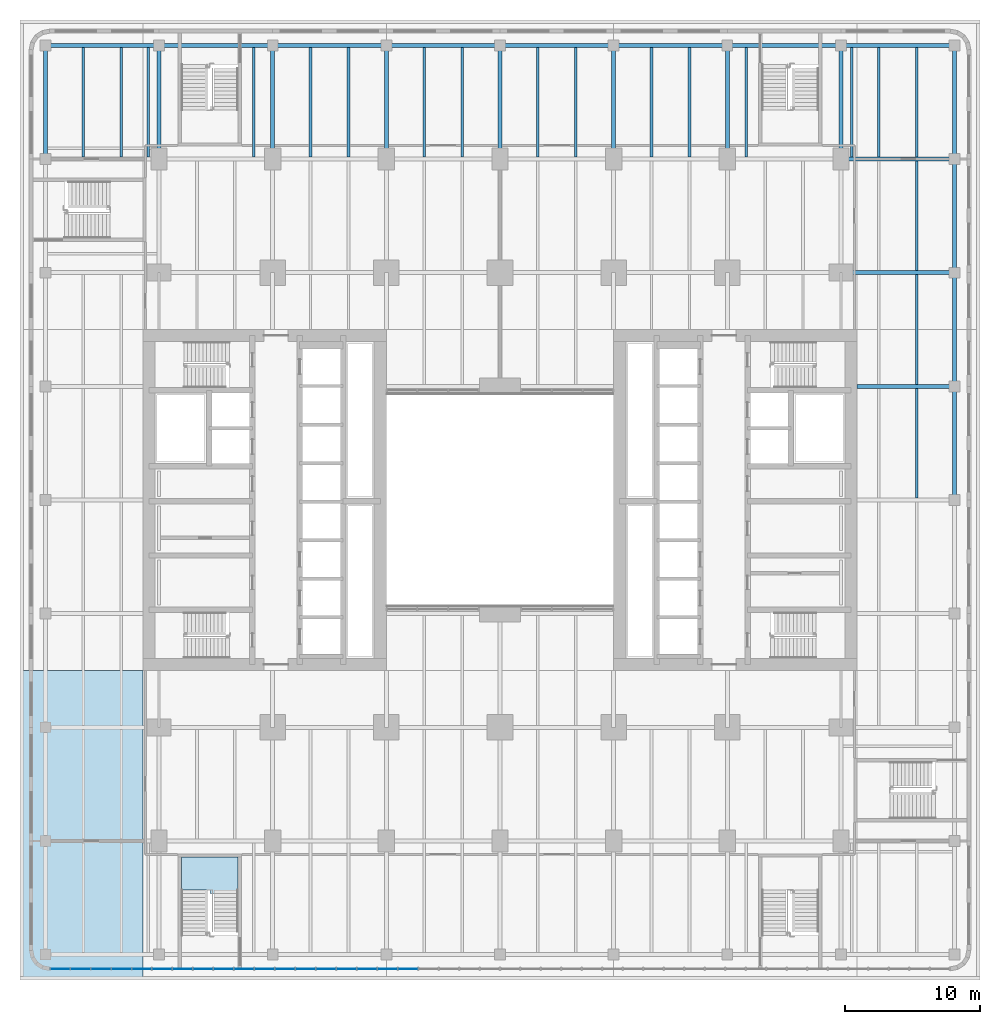
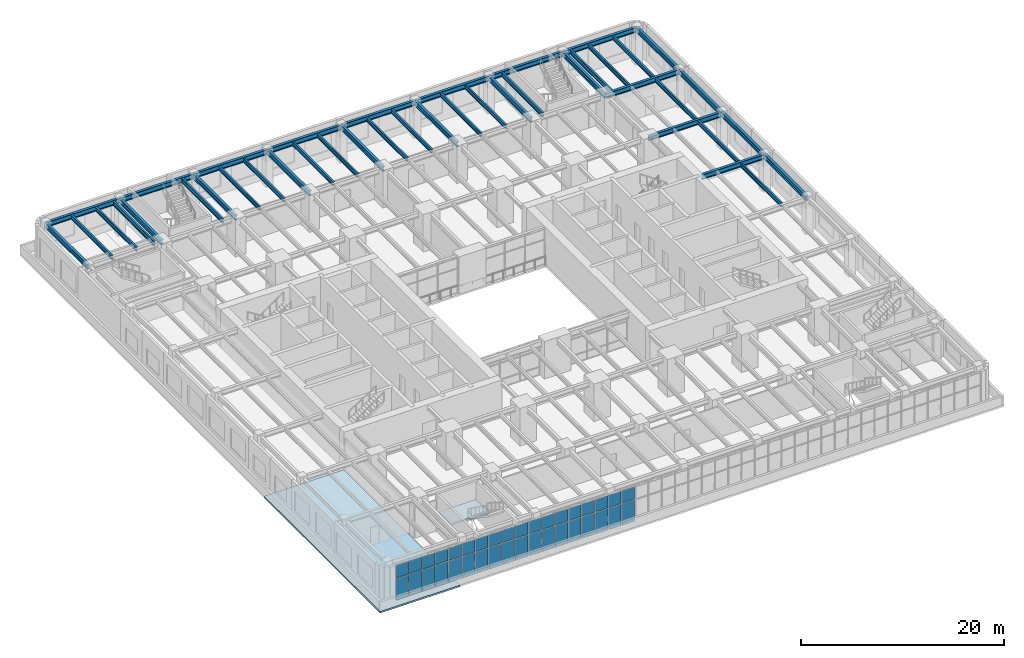
# One storey, part 13 of 30: 42 beams, 36 plates, 2 slabs, 2 elements without a shape of their own.
"""IFC4 building model written with IfcOpenShell, lengths in metres."""

from ifc_helpers import new_model, si_unit, direction, frame, origin, origin_2d, place, context, subcontext, project, spatial, polyline, rectangle, i_section, outline, extrude, material, layer, layer_set, material_profile, profile_set, type_object, element, aggregate, save


model = new_model("IFC4")

# Units and contexts
model_context = context("Model", 3, precision=1e-05, world=origin(), true_north=direction((0.0, 1.0)))
body_context = subcontext(model_context, "Body", "Model", "MODEL_VIEW")
ifc_project = project(units=[si_unit("LENGTHUNIT", "METRE"), si_unit("AREAUNIT", "SQUARE_METRE"), si_unit("VOLUMEUNIT", "CUBIC_METRE"), si_unit("PLANEANGLEUNIT", "RADIAN"), si_unit("MASSUNIT", "GRAM", prefix="KILO")], contexts=[model_context])

# Site, building, storey
site_placement = place(None, origin())
site = spatial("IfcSite", under=ifc_project, at=site_placement, CompositionType="ELEMENT")
building_placement = place(site_placement, origin())
building = spatial("IfcBuilding", under=site, at=building_placement, Name="Claustro Exchange Tower", CompositionType="ELEMENT")
storey_placement = place(building_placement, frame((0.0, 0.0, 5.39990234375)))
storey = spatial("IfcBuildingStorey", under=building, at=storey_placement, Name="L01", CompositionType="ELEMENT", Elevation=5.39990234375)

# Beams
ifc_material_1 = material(Name="Steel S355", Category="steel")
ifc_material_profile_1 = material_profile(ifc_material_1, i_section(OverallWidth=0.300048828125, OverallDepth=0.60009765625, WebThickness=0.015380859375, FlangeThickness=0.030029296875, FilletRadius=0.027099609375, at=origin_2d()), Name="HE 600 B")
ifc_profile_set_1 = profile_set([ifc_material_profile_1], Name="Steel S355")
beam_type_1 = type_object("IfcBeamType", Name="B1 HE 600 B floor girder", PredefinedType="BEAM", material=ifc_profile_set_1)
for number, where, z_axis, x_axis, name in (
    (1, (-8.39990234375, 50.39990234375, 4.0), (0.0, 1.0, 0.0), (-1.0, 0.0, 0.0), "Beam B1 L02"),
    (2, (0.0, 50.39990234375, 4.0), (0.0, 1.0, 0.0), (-1.0, 0.0, 0.0), "Beam B1 L02"),
    (3, (8.39990234375, 50.39990234375, 4.0), (0.0, 1.0, 0.0), (-1.0, 0.0, 0.0), "Beam B1 L02"),
    (4, (16.800048828125, 50.39990234375, 4.0), (0.0, 1.0, 0.0), (-1.0, 0.0, 0.0), "Beam B1 L02"),
    (5, (25.199951171875, 50.39990234375, 4.0), (0.0, 1.0, 0.0), (-1.0, 0.0, 0.0), "Beam B1 L02"),
    (6, (33.60009765625, 50.39990234375, 4.0), (0.0, 1.0, 0.0), (-1.0, 0.0, 0.0), "Beam B1 L02"),
    (7, (42.0, 50.39990234375, 4.0), (0.0, 1.0, 0.0), (-1.0, 0.0, 0.0), "Beam B1 L02"),
    (8, (50.39990234375, 50.39990234375, 4.0), (0.0, 1.0, 0.0), (-1.0, 0.0, 0.0), "Beam B1 L02"),
    (9, (58.800048828125, 25.199951171875, 4.0), (0.0, 1.0, 0.0), (-1.0, 0.0, 0.0), "Beam B1 L02"),
):
    element("IfcBeam", number, at=place(storey_placement, frame(where, z_axis=z_axis, x_axis=x_axis)), inside=storey, type_object=beam_type_1, Name=name, PredefinedType="BEAM", context=body_context, shape_type="SweptSolid", body=[
        extrude(i_section(OverallWidth=0.300048828125, OverallDepth=0.60009765625, WebThickness=0.015380859375, FlangeThickness=0.030029296875, FilletRadius=0.027099609375, at=origin_2d()), origin(), (0.0, 0.0, 1.0), 8.400146484375),
    ])
for number, where, z_axis, x_axis, name in (
    (10, (58.800048828125, 33.60009765625, 4.0), (0.0, 1.0, 0.0), (-1.0, 0.0, 0.0), "Beam B1 L02"),
    (11, (58.800048828125, 42.0, 4.0), (0.0, 1.0, 0.0), (-1.0, 0.0, 0.0), "Beam B1 L02"),
):
    element("IfcBeam", number, at=place(storey_placement, frame(where, z_axis=z_axis, x_axis=x_axis)), inside=storey, type_object=beam_type_1, Name=name, PredefinedType="BEAM", context=body_context, shape_type="SweptSolid", body=[
        extrude(i_section(OverallWidth=0.300048828125, OverallDepth=0.60009765625, WebThickness=0.015380859375, FlangeThickness=0.030029296875, FilletRadius=0.027099609375, at=origin_2d()), origin(), (0.0, 0.0, 1.0), 8.39990234375),
    ])
beam_1_placement = place(storey_placement, frame((58.800048828125, 50.39990234375, 4.0), z_axis=(0.0, 1.0, 0.0), x_axis=(-1.0, 0.0, 0.0)))
element("IfcBeam", 12, at=beam_1_placement, inside=storey, type_object=beam_type_1, Name="Beam B1 L02", PredefinedType="BEAM", context=body_context, shape_type="SweptSolid", body=[
    extrude(i_section(OverallWidth=0.300048828125, OverallDepth=0.60009765625, WebThickness=0.015380859375, FlangeThickness=0.030029296875, FilletRadius=0.027099609375, at=origin_2d()), origin(), (0.0, 0.0, 1.0), 8.400146484375),
])
beam_2_placement = place(storey_placement, frame((51.60009765625, 33.60009765625, 4.0), z_axis=(1.0, 0.0, 0.0), x_axis=(0.0, 1.0, 0.0)))
element("IfcBeam", 13, at=beam_2_placement, inside=storey, type_object=beam_type_1, Name="Beam B1 L02", PredefinedType="BEAM", context=body_context, shape_type="SweptSolid", body=[
    extrude(i_section(OverallWidth=0.300048828125, OverallDepth=0.60009765625, WebThickness=0.015380859375, FlangeThickness=0.030029296875, FilletRadius=0.027099609375, at=origin_2d()), origin(), (0.0, 0.0, 1.0), 7.199951171875),
])
for number, where, z_axis, x_axis, name in (
    (14, (50.39990234375, 42.0, 4.0), (1.0, 0.0, 0.0), (0.0, 1.0, 0.0), "Beam B1 L02"),
    (15, (50.39990234375, 50.39990234375, 4.0), (1.0, 0.0, 0.0), (0.0, 1.0, 0.0), "Beam B1 L02"),
):
    element("IfcBeam", number, at=place(storey_placement, frame(where, z_axis=z_axis, x_axis=x_axis)), inside=storey, type_object=beam_type_1, Name=name, PredefinedType="BEAM", context=body_context, shape_type="SweptSolid", body=[
        extrude(i_section(OverallWidth=0.300048828125, OverallDepth=0.60009765625, WebThickness=0.015380859375, FlangeThickness=0.030029296875, FilletRadius=0.027099609375, at=origin_2d()), origin(), (0.0, 0.0, 1.0), 8.400146484375),
    ])
for number, where, z_axis, x_axis, name in (
    (16, (-8.39990234375, 58.800048828125, 4.0), (1.0, 0.0, 0.0), (0.0, 1.0, 0.0), "Beam B1 L02"),
    (17, (0.0, 58.800048828125, 4.0), (1.0, 0.0, 0.0), (0.0, 1.0, 0.0), "Beam B1 L02"),
):
    element("IfcBeam", number, at=place(storey_placement, frame(where, z_axis=z_axis, x_axis=x_axis)), inside=storey, type_object=beam_type_1, Name=name, PredefinedType="BEAM", context=body_context, shape_type="SweptSolid", body=[
        extrude(i_section(OverallWidth=0.300048828125, OverallDepth=0.60009765625, WebThickness=0.015380859375, FlangeThickness=0.030029296875, FilletRadius=0.027099609375, at=origin_2d()), origin(), (0.0, 0.0, 1.0), 8.39990234375),
    ])
beam_3_placement = place(storey_placement, frame((8.39990234375, 58.800048828125, 4.0), z_axis=(1.0, 0.0, 0.0), x_axis=(0.0, 1.0, 0.0)))
element("IfcBeam", 18, at=beam_3_placement, inside=storey, type_object=beam_type_1, Name="Beam B1 L02", PredefinedType="BEAM", context=body_context, shape_type="SweptSolid", body=[
    extrude(i_section(OverallWidth=0.300048828125, OverallDepth=0.60009765625, WebThickness=0.015380859375, FlangeThickness=0.030029296875, FilletRadius=0.027099609375, at=origin_2d()), origin(), (0.0, 0.0, 1.0), 8.400146484375),
])
beam_4_placement = place(storey_placement, frame((16.800048828125, 58.800048828125, 4.0), z_axis=(1.0, 0.0, 0.0), x_axis=(0.0, 1.0, 0.0)))
element("IfcBeam", 19, at=beam_4_placement, inside=storey, type_object=beam_type_1, Name="Beam B1 L02", PredefinedType="BEAM", context=body_context, shape_type="SweptSolid", body=[
    extrude(i_section(OverallWidth=0.300048828125, OverallDepth=0.60009765625, WebThickness=0.015380859375, FlangeThickness=0.030029296875, FilletRadius=0.027099609375, at=origin_2d()), origin(), (0.0, 0.0, 1.0), 8.39990234375),
])
beam_5_placement = place(storey_placement, frame((25.199951171875, 58.800048828125, 4.0), z_axis=(1.0, 0.0, 0.0), x_axis=(0.0, 1.0, 0.0)))
element("IfcBeam", 20, at=beam_5_placement, inside=storey, type_object=beam_type_1, Name="Beam B1 L02", PredefinedType="BEAM", context=body_context, shape_type="SweptSolid", body=[
    extrude(i_section(OverallWidth=0.300048828125, OverallDepth=0.60009765625, WebThickness=0.015380859375, FlangeThickness=0.030029296875, FilletRadius=0.027099609375, at=origin_2d()), origin(), (0.0, 0.0, 1.0), 8.400146484375),
])
for number, where, z_axis, x_axis, name in (
    (21, (33.60009765625, 58.800048828125, 4.0), (1.0, 0.0, 0.0), (0.0, 1.0, 0.0), "Beam B1 L02"),
    (22, (42.0, 58.800048828125, 4.0), (1.0, 0.0, 0.0), (0.0, 1.0, 0.0), "Beam B1 L02"),
):
    element("IfcBeam", number, at=place(storey_placement, frame(where, z_axis=z_axis, x_axis=x_axis)), inside=storey, type_object=beam_type_1, Name=name, PredefinedType="BEAM", context=body_context, shape_type="SweptSolid", body=[
        extrude(i_section(OverallWidth=0.300048828125, OverallDepth=0.60009765625, WebThickness=0.015380859375, FlangeThickness=0.030029296875, FilletRadius=0.027099609375, at=origin_2d()), origin(), (0.0, 0.0, 1.0), 8.39990234375),
    ])
beam_6_placement = place(storey_placement, frame((50.39990234375, 58.800048828125, 4.0), z_axis=(1.0, 0.0, 0.0), x_axis=(0.0, 1.0, 0.0)))
element("IfcBeam", 23, at=beam_6_placement, inside=storey, type_object=beam_type_1, Name="Beam B1 L02", PredefinedType="BEAM", context=body_context, shape_type="SweptSolid", body=[
    extrude(i_section(OverallWidth=0.300048828125, OverallDepth=0.60009765625, WebThickness=0.015380859375, FlangeThickness=0.030029296875, FilletRadius=0.027099609375, at=origin_2d()), origin(), (0.0, 0.0, 1.0), 8.400146484375),
])
ifc_material_2 = material(Name="Steel S355", Category="steel")
ifc_material_profile_2 = material_profile(ifc_material_2, i_section(OverallWidth=0.199951171875, OverallDepth=0.5, WebThickness=0.01025390625, FlangeThickness=0.01611328125, FilletRadius=0.02099609375, at=origin_2d()), Name="IPE 500")
ifc_profile_set_2 = profile_set([ifc_material_profile_2], Name="Steel S355")
beam_type_2 = type_object("IfcBeamType", Name="B2 IPE 500 secondary beam", PredefinedType="BEAM", material=ifc_profile_set_2)
for number, where, z_axis, x_axis, name in (
    (24, (-5.60009765625, 50.550048828125, 4.050048828125), (0.0, 1.0, 0.0), (-1.0, 0.0, 0.0), "Beam B2 L02"),
    (25, (-2.800048828125, 50.550048828125, 4.050048828125), (0.0, 1.0, 0.0), (-1.0, 0.0, 0.0), "Beam B2 L02"),
    (26, (11.199951171875, 50.550048828125, 4.050048828125), (0.0, 1.0, 0.0), (-1.0, 0.0, 0.0), "Beam B2 L02"),
    (27, (14.0, 50.550048828125, 4.050048828125), (0.0, 1.0, 0.0), (-1.0, 0.0, 0.0), "Beam B2 L02"),
    (28, (19.60009765625, 50.550048828125, 4.050048828125), (0.0, 1.0, 0.0), (-1.0, 0.0, 0.0), "Beam B2 L02"),
    (29, (22.39990234375, 50.550048828125, 4.050048828125), (0.0, 1.0, 0.0), (-1.0, 0.0, 0.0), "Beam B2 L02"),
    (30, (28.0, 50.550048828125, 4.050048828125), (0.0, 1.0, 0.0), (-1.0, 0.0, 0.0), "Beam B2 L02"),
    (31, (30.800048828125, 50.550048828125, 4.050048828125), (0.0, 1.0, 0.0), (-1.0, 0.0, 0.0), "Beam B2 L02"),
    (32, (36.39990234375, 50.550048828125, 4.050048828125), (0.0, 1.0, 0.0), (-1.0, 0.0, 0.0), "Beam B2 L02"),
    (33, (39.199951171875, 50.550048828125, 4.050048828125), (0.0, 1.0, 0.0), (-1.0, 0.0, 0.0), "Beam B2 L02"),
    (34, (56.0, 25.35009765625, 4.050048828125), (0.0, 1.0, 0.0), (-1.0, 0.0, 0.0), "Beam B2 L02"),
):
    element("IfcBeam", number, at=place(storey_placement, frame(where, z_axis=z_axis, x_axis=x_axis)), inside=storey, type_object=beam_type_2, Name=name, PredefinedType="BEAM", context=body_context, shape_type="SweptSolid", body=[
        extrude(i_section(OverallWidth=0.199951171875, OverallDepth=0.5, WebThickness=0.01025390625, FlangeThickness=0.01611328125, FilletRadius=0.02099609375, at=origin_2d()), origin(), (0.0, 0.0, 1.0), 8.099853515625),
    ])
for number, where, z_axis, x_axis, name in (
    (35, (56.0, 33.75, 4.050048828125), (0.0, 1.0, 0.0), (-1.0, 0.0, 0.0), "Beam B2 L02"),
    (36, (56.0, 42.14990234375, 4.050048828125), (0.0, 1.0, 0.0), (-1.0, 0.0, 0.0), "Beam B2 L02"),
):
    element("IfcBeam", number, at=place(storey_placement, frame(where, z_axis=z_axis, x_axis=x_axis)), inside=storey, type_object=beam_type_2, Name=name, PredefinedType="BEAM", context=body_context, shape_type="SweptSolid", body=[
        extrude(i_section(OverallWidth=0.199951171875, OverallDepth=0.5, WebThickness=0.01025390625, FlangeThickness=0.01611328125, FilletRadius=0.02099609375, at=origin_2d()), origin(), (0.0, 0.0, 1.0), 8.10009765625),
    ])
for number, where, z_axis, x_axis, name in (
    (37, (53.199951171875, 50.550048828125, 4.050048828125), (0.0, 1.0, 0.0), (-1.0, 0.0, 0.0), "Beam B2 L02"),
    (38, (56.0, 50.550048828125, 4.050048828125), (0.0, 1.0, 0.0), (-1.0, 0.0, 0.0), "Beam B2 L02"),
):
    element("IfcBeam", number, at=place(storey_placement, frame(where, z_axis=z_axis, x_axis=x_axis)), inside=storey, type_object=beam_type_2, Name=name, PredefinedType="BEAM", context=body_context, shape_type="SweptSolid", body=[
        extrude(i_section(OverallWidth=0.199951171875, OverallDepth=0.5, WebThickness=0.01025390625, FlangeThickness=0.01611328125, FilletRadius=0.02099609375, at=origin_2d()), origin(), (0.0, 0.0, 1.0), 8.099853515625),
    ])
ifc_material_3 = material(Name="Steel S355", Category="steel")
ifc_material_profile_3 = material_profile(ifc_material_3, i_section(OverallWidth=0.2099609375, OverallDepth=0.550048828125, WebThickness=0.010986328125, FlangeThickness=0.01708984375, FilletRadius=0.02392578125, at=origin_2d()), Name="IPE 550")
ifc_profile_set_3 = profile_set([ifc_material_profile_3], Name="Steel S355")
beam_type_3 = type_object("IfcBeamType", Name="B28 IPE 550 podium stair trimmer", PredefinedType="BEAM", material=ifc_profile_set_3)
for number, where, z_axis, x_axis, name in (
    (39, (7.0, 50.550048828125, 4.025146484375), (0.0, 1.0, 0.0), (-1.0, 0.0, 0.0), "Beam B28 trimmer STP3 L02"),
    (40, (-0.800048828125, 50.550048828125, 4.025146484375), (0.0, 1.0, 0.0), (-1.0, 0.0, 0.0), "Beam B28 trimmer STP3 L02"),
    (41, (43.39990234375, 50.550048828125, 4.025146484375), (0.0, 1.0, 0.0), (-1.0, 0.0, 0.0), "Beam B28 trimmer STP4 L02"),
    (42, (51.199951171875, 50.550048828125, 4.025146484375), (0.0, 1.0, 0.0), (-1.0, 0.0, 0.0), "Beam B28 trimmer STP4 L02"),
):
    element("IfcBeam", number, at=place(storey_placement, frame(where, z_axis=z_axis, x_axis=x_axis)), inside=storey, type_object=beam_type_3, Name=name, PredefinedType="BEAM", context=body_context, shape_type="SweptSolid", body=[
        extrude(i_section(OverallWidth=0.2099609375, OverallDepth=0.550048828125, WebThickness=0.010986328125, FlangeThickness=0.01708984375, FilletRadius=0.02392578125, at=origin_2d()), origin(), (0.0, 0.0, 1.0), 8.099853515625),
    ])

# Curtain wall, plates
ifc_material_4 = material(Name="Aluminium frame, clear double glazing", Category="aluminium")
curtain_wall_type = type_object("IfcCurtainWallType", Name="CW1 storefront curtain wall", PredefinedType="USERDEFINED", material=ifc_material_4)
curtain_wall_placement = place(storey_placement, origin())
curtain_wall = element("IfcCurtainWall", 43, at=curtain_wall_placement, inside=storey, type_object=curtain_wall_type, Name="Curtain wall CW1 L01", ObjectType="STICK CURTAIN WALL", PredefinedType="USERDEFINED")
ifc_material_5 = material(Name="Clear double glazing", Category="glass")
ifc_layer_1 = layer(ifc_material_5, 0.031982421875)
ifc_layer_set_1 = layer_set([ifc_layer_1], Name="Clear double glazing")
plate_type = type_object("IfcPlateType", Name="CW1-P 32 glazed panel", PredefinedType="CURTAIN_PANEL", material=ifc_layer_set_1)
plate_1_placement = place(storey_placement, frame((-7.31005859375, -9.449951171875, 0.0751953125), z_axis=(0.0, 0.0, 1.0), x_axis=(1.0, 0.0, 0.0)))
plate_1 = element("IfcPlate", 44, at=plate_1_placement, type_object=plate_type, Name="CW1 panel 1.1", PredefinedType="CURTAIN_PANEL", context=body_context, shape_type="SweptSolid", body=[
    extrude(rectangle(XDim=1.400390625, YDim=0.031982421875, at=origin_2d()), origin(), (0.0, 0.0, 1.0), 2.58740234375),
])
plate_2_placement = place(storey_placement, frame((-7.31005859375, -9.449951171875, 2.73779296875), z_axis=(0.0, 0.0, 1.0), x_axis=(1.0, 0.0, 0.0)))
plate_2 = element("IfcPlate", 45, at=plate_2_placement, type_object=plate_type, Name="CW1 panel 1.2", PredefinedType="CURTAIN_PANEL", context=body_context, shape_type="SweptSolid", body=[
    extrude(rectangle(XDim=1.400390625, YDim=0.031982421875, at=origin_2d()), origin(), (0.0, 0.0, 1.0), 1.487548828125),
])
plate_3_placement = place(storey_placement, frame((-5.815673828125, -9.449951171875, 0.0751953125), z_axis=(0.0, 0.0, 1.0), x_axis=(1.0, 0.0, 0.0)))
plate_3 = element("IfcPlate", 46, at=plate_3_placement, type_object=plate_type, Name="CW1 panel 2.1", PredefinedType="CURTAIN_PANEL", context=body_context, shape_type="SweptSolid", body=[
    extrude(rectangle(XDim=1.43798828125, YDim=0.031982421875, at=origin_2d()), origin(), (0.0, 0.0, 1.0), 2.58740234375),
])
plate_4_placement = place(storey_placement, frame((-5.815673828125, -9.449951171875, 2.73779296875), z_axis=(0.0, 0.0, 1.0), x_axis=(1.0, 0.0, 0.0)))
plate_4 = element("IfcPlate", 47, at=plate_4_placement, type_object=plate_type, Name="CW1 panel 2.2", PredefinedType="CURTAIN_PANEL", context=body_context, shape_type="SweptSolid", body=[
    extrude(rectangle(XDim=1.43798828125, YDim=0.031982421875, at=origin_2d()), origin(), (0.0, 0.0, 1.0), 1.487548828125),
])
plate_5_placement = place(storey_placement, frame((-4.302734375, -9.449951171875, 0.0751953125), z_axis=(0.0, 0.0, 1.0), x_axis=(1.0, 0.0, 0.0)))
plate_5 = element("IfcPlate", 48, at=plate_5_placement, type_object=plate_type, Name="CW1 panel 3.1", PredefinedType="CURTAIN_PANEL", context=body_context, shape_type="SweptSolid", body=[
    extrude(rectangle(XDim=1.43798828125, YDim=0.031982421875, at=origin_2d()), origin(), (0.0, 0.0, 1.0), 2.58740234375),
])
plate_6_placement = place(storey_placement, frame((-4.302734375, -9.449951171875, 2.73779296875), z_axis=(0.0, 0.0, 1.0), x_axis=(1.0, 0.0, 0.0)))
plate_6 = element("IfcPlate", 49, at=plate_6_placement, type_object=plate_type, Name="CW1 panel 3.2", PredefinedType="CURTAIN_PANEL", context=body_context, shape_type="SweptSolid", body=[
    extrude(rectangle(XDim=1.43798828125, YDim=0.031982421875, at=origin_2d()), origin(), (0.0, 0.0, 1.0), 1.487548828125),
])
plate_7_placement = place(storey_placement, frame((-2.789794921875, -9.449951171875, 0.0751953125), z_axis=(0.0, 0.0, 1.0), x_axis=(1.0, 0.0, 0.0)))
plate_7 = element("IfcPlate", 50, at=plate_7_placement, type_object=plate_type, Name="CW1 panel 4.1", PredefinedType="CURTAIN_PANEL", context=body_context, shape_type="SweptSolid", body=[
    extrude(rectangle(XDim=1.43798828125, YDim=0.031982421875, at=origin_2d()), origin(), (0.0, 0.0, 1.0), 2.58740234375),
])
plate_8_placement = place(storey_placement, frame((-2.789794921875, -9.449951171875, 2.73779296875), z_axis=(0.0, 0.0, 1.0), x_axis=(1.0, 0.0, 0.0)))
plate_8 = element("IfcPlate", 51, at=plate_8_placement, type_object=plate_type, Name="CW1 panel 4.2", PredefinedType="CURTAIN_PANEL", context=body_context, shape_type="SweptSolid", body=[
    extrude(rectangle(XDim=1.43798828125, YDim=0.031982421875, at=origin_2d()), origin(), (0.0, 0.0, 1.0), 1.487548828125),
])
plate_9_placement = place(storey_placement, frame((-1.27685546875, -9.449951171875, 0.0751953125), z_axis=(0.0, 0.0, 1.0), x_axis=(1.0, 0.0, 0.0)))
plate_9 = element("IfcPlate", 52, at=plate_9_placement, type_object=plate_type, Name="CW1 panel 5.1", PredefinedType="CURTAIN_PANEL", context=body_context, shape_type="SweptSolid", body=[
    extrude(rectangle(XDim=1.43798828125, YDim=0.031982421875, at=origin_2d()), origin(), (0.0, 0.0, 1.0), 2.58740234375),
])
plate_10_placement = place(storey_placement, frame((-1.27685546875, -9.449951171875, 2.73779296875), z_axis=(0.0, 0.0, 1.0), x_axis=(1.0, 0.0, 0.0)))
plate_10 = element("IfcPlate", 53, at=plate_10_placement, type_object=plate_type, Name="CW1 panel 5.2", PredefinedType="CURTAIN_PANEL", context=body_context, shape_type="SweptSolid", body=[
    extrude(rectangle(XDim=1.43798828125, YDim=0.031982421875, at=origin_2d()), origin(), (0.0, 0.0, 1.0), 1.487548828125),
])
plate_11_placement = place(storey_placement, frame((0.236083984375, -9.449951171875, 0.0751953125), z_axis=(0.0, 0.0, 1.0), x_axis=(1.0, 0.0, 0.0)))
plate_11 = element("IfcPlate", 54, at=plate_11_placement, type_object=plate_type, Name="CW1 panel 6.1", PredefinedType="CURTAIN_PANEL", context=body_context, shape_type="SweptSolid", body=[
    extrude(rectangle(XDim=1.43798828125, YDim=0.031982421875, at=origin_2d()), origin(), (0.0, 0.0, 1.0), 2.58740234375),
])
plate_12_placement = place(storey_placement, frame((0.236083984375, -9.449951171875, 2.73779296875), z_axis=(0.0, 0.0, 1.0), x_axis=(1.0, 0.0, 0.0)))
plate_12 = element("IfcPlate", 55, at=plate_12_placement, type_object=plate_type, Name="CW1 panel 6.2", PredefinedType="CURTAIN_PANEL", context=body_context, shape_type="SweptSolid", body=[
    extrude(rectangle(XDim=1.43798828125, YDim=0.031982421875, at=origin_2d()), origin(), (0.0, 0.0, 1.0), 1.487548828125),
])
plate_13_placement = place(storey_placement, frame((1.7490234375, -9.449951171875, 0.0751953125), z_axis=(0.0, 0.0, 1.0), x_axis=(1.0, 0.0, 0.0)))
plate_13 = element("IfcPlate", 56, at=plate_13_placement, type_object=plate_type, Name="CW1 panel 7.1", PredefinedType="CURTAIN_PANEL", context=body_context, shape_type="SweptSolid", body=[
    extrude(rectangle(XDim=1.43798828125, YDim=0.031982421875, at=origin_2d()), origin(), (0.0, 0.0, 1.0), 2.58740234375),
])
plate_14_placement = place(storey_placement, frame((1.7490234375, -9.449951171875, 2.73779296875), z_axis=(0.0, 0.0, 1.0), x_axis=(1.0, 0.0, 0.0)))
plate_14 = element("IfcPlate", 57, at=plate_14_placement, type_object=plate_type, Name="CW1 panel 7.2", PredefinedType="CURTAIN_PANEL", context=body_context, shape_type="SweptSolid", body=[
    extrude(rectangle(XDim=1.43798828125, YDim=0.031982421875, at=origin_2d()), origin(), (0.0, 0.0, 1.0), 1.487548828125),
])
plate_15_placement = place(storey_placement, frame((3.261962890625, -9.449951171875, 0.0751953125), z_axis=(0.0, 0.0, 1.0), x_axis=(1.0, 0.0, 0.0)))
plate_15 = element("IfcPlate", 58, at=plate_15_placement, type_object=plate_type, Name="CW1 panel 8.1", PredefinedType="CURTAIN_PANEL", context=body_context, shape_type="SweptSolid", body=[
    extrude(rectangle(XDim=1.43798828125, YDim=0.031982421875, at=origin_2d()), origin(), (0.0, 0.0, 1.0), 2.58740234375),
])
plate_16_placement = place(storey_placement, frame((3.261962890625, -9.449951171875, 2.73779296875), z_axis=(0.0, 0.0, 1.0), x_axis=(1.0, 0.0, 0.0)))
plate_16 = element("IfcPlate", 59, at=plate_16_placement, type_object=plate_type, Name="CW1 panel 8.2", PredefinedType="CURTAIN_PANEL", context=body_context, shape_type="SweptSolid", body=[
    extrude(rectangle(XDim=1.43798828125, YDim=0.031982421875, at=origin_2d()), origin(), (0.0, 0.0, 1.0), 1.487548828125),
])
plate_17_placement = place(storey_placement, frame((4.77490234375, -9.449951171875, 0.0751953125), z_axis=(0.0, 0.0, 1.0), x_axis=(1.0, 0.0, 0.0)))
plate_17 = element("IfcPlate", 60, at=plate_17_placement, type_object=plate_type, Name="CW1 panel 9.1", PredefinedType="CURTAIN_PANEL", context=body_context, shape_type="SweptSolid", body=[
    extrude(rectangle(XDim=1.43798828125, YDim=0.031982421875, at=origin_2d()), origin(), (0.0, 0.0, 1.0), 2.58740234375),
])
plate_18_placement = place(storey_placement, frame((4.77490234375, -9.449951171875, 2.73779296875), z_axis=(0.0, 0.0, 1.0), x_axis=(1.0, 0.0, 0.0)))
plate_18 = element("IfcPlate", 61, at=plate_18_placement, type_object=plate_type, Name="CW1 panel 9.2", PredefinedType="CURTAIN_PANEL", context=body_context, shape_type="SweptSolid", body=[
    extrude(rectangle(XDim=1.43798828125, YDim=0.031982421875, at=origin_2d()), origin(), (0.0, 0.0, 1.0), 1.487548828125),
])
plate_19_placement = place(storey_placement, frame((6.287841796875, -9.449951171875, 0.0751953125), z_axis=(0.0, 0.0, 1.0), x_axis=(1.0, 0.0, 0.0)))
plate_19 = element("IfcPlate", 62, at=plate_19_placement, type_object=plate_type, Name="CW1 panel 10.1", PredefinedType="CURTAIN_PANEL", context=body_context, shape_type="SweptSolid", body=[
    extrude(rectangle(XDim=1.43798828125, YDim=0.031982421875, at=origin_2d()), origin(), (0.0, 0.0, 1.0), 2.58740234375),
])
plate_20_placement = place(storey_placement, frame((6.287841796875, -9.449951171875, 2.73779296875), z_axis=(0.0, 0.0, 1.0), x_axis=(1.0, 0.0, 0.0)))
plate_20 = element("IfcPlate", 63, at=plate_20_placement, type_object=plate_type, Name="CW1 panel 10.2", PredefinedType="CURTAIN_PANEL", context=body_context, shape_type="SweptSolid", body=[
    extrude(rectangle(XDim=1.43798828125, YDim=0.031982421875, at=origin_2d()), origin(), (0.0, 0.0, 1.0), 1.487548828125),
])
plate_21_placement = place(storey_placement, frame((7.801025390625, -9.449951171875, 0.0751953125), z_axis=(0.0, 0.0, 1.0), x_axis=(1.0, 0.0, 0.0)))
plate_21 = element("IfcPlate", 64, at=plate_21_placement, type_object=plate_type, Name="CW1 panel 11.1", PredefinedType="CURTAIN_PANEL", context=body_context, shape_type="SweptSolid", body=[
    extrude(rectangle(XDim=1.43798828125, YDim=0.031982421875, at=origin_2d()), origin(), (0.0, 0.0, 1.0), 2.58740234375),
])
plate_22_placement = place(storey_placement, frame((7.801025390625, -9.449951171875, 2.73779296875), z_axis=(0.0, 0.0, 1.0), x_axis=(1.0, 0.0, 0.0)))
plate_22 = element("IfcPlate", 65, at=plate_22_placement, type_object=plate_type, Name="CW1 panel 11.2", PredefinedType="CURTAIN_PANEL", context=body_context, shape_type="SweptSolid", body=[
    extrude(rectangle(XDim=1.43798828125, YDim=0.031982421875, at=origin_2d()), origin(), (0.0, 0.0, 1.0), 1.487548828125),
])
plate_23_placement = place(storey_placement, frame((9.31396484375, -9.449951171875, 0.0751953125), z_axis=(0.0, 0.0, 1.0), x_axis=(1.0, 0.0, 0.0)))
plate_23 = element("IfcPlate", 66, at=plate_23_placement, type_object=plate_type, Name="CW1 panel 12.1", PredefinedType="CURTAIN_PANEL", context=body_context, shape_type="SweptSolid", body=[
    extrude(rectangle(XDim=1.43798828125, YDim=0.031982421875, at=origin_2d()), origin(), (0.0, 0.0, 1.0), 2.58740234375),
])
plate_24_placement = place(storey_placement, frame((9.31396484375, -9.449951171875, 2.73779296875), z_axis=(0.0, 0.0, 1.0), x_axis=(1.0, 0.0, 0.0)))
plate_24 = element("IfcPlate", 67, at=plate_24_placement, type_object=plate_type, Name="CW1 panel 12.2", PredefinedType="CURTAIN_PANEL", context=body_context, shape_type="SweptSolid", body=[
    extrude(rectangle(XDim=1.43798828125, YDim=0.031982421875, at=origin_2d()), origin(), (0.0, 0.0, 1.0), 1.487548828125),
])
plate_25_placement = place(storey_placement, frame((10.826904296875, -9.449951171875, 0.0751953125), z_axis=(0.0, 0.0, 1.0), x_axis=(1.0, 0.0, 0.0)))
plate_25 = element("IfcPlate", 68, at=plate_25_placement, type_object=plate_type, Name="CW1 panel 13.1", PredefinedType="CURTAIN_PANEL", context=body_context, shape_type="SweptSolid", body=[
    extrude(rectangle(XDim=1.43798828125, YDim=0.031982421875, at=origin_2d()), origin(), (0.0, 0.0, 1.0), 2.58740234375),
])
plate_26_placement = place(storey_placement, frame((10.826904296875, -9.449951171875, 2.73779296875), z_axis=(0.0, 0.0, 1.0), x_axis=(1.0, 0.0, 0.0)))
plate_26 = element("IfcPlate", 69, at=plate_26_placement, type_object=plate_type, Name="CW1 panel 13.2", PredefinedType="CURTAIN_PANEL", context=body_context, shape_type="SweptSolid", body=[
    extrude(rectangle(XDim=1.43798828125, YDim=0.031982421875, at=origin_2d()), origin(), (0.0, 0.0, 1.0), 1.487548828125),
])
plate_27_placement = place(storey_placement, frame((12.33984375, -9.449951171875, 0.0751953125), z_axis=(0.0, 0.0, 1.0), x_axis=(1.0, 0.0, 0.0)))
plate_27 = element("IfcPlate", 70, at=plate_27_placement, type_object=plate_type, Name="CW1 panel 14.1", PredefinedType="CURTAIN_PANEL", context=body_context, shape_type="SweptSolid", body=[
    extrude(rectangle(XDim=1.43798828125, YDim=0.031982421875, at=origin_2d()), origin(), (0.0, 0.0, 1.0), 2.58740234375),
])
plate_28_placement = place(storey_placement, frame((12.33984375, -9.449951171875, 2.73779296875), z_axis=(0.0, 0.0, 1.0), x_axis=(1.0, 0.0, 0.0)))
plate_28 = element("IfcPlate", 71, at=plate_28_placement, type_object=plate_type, Name="CW1 panel 14.2", PredefinedType="CURTAIN_PANEL", context=body_context, shape_type="SweptSolid", body=[
    extrude(rectangle(XDim=1.43798828125, YDim=0.031982421875, at=origin_2d()), origin(), (0.0, 0.0, 1.0), 1.487548828125),
])
plate_29_placement = place(storey_placement, frame((13.852783203125, -9.449951171875, 0.0751953125), z_axis=(0.0, 0.0, 1.0), x_axis=(1.0, 0.0, 0.0)))
plate_29 = element("IfcPlate", 72, at=plate_29_placement, type_object=plate_type, Name="CW1 panel 15.1", PredefinedType="CURTAIN_PANEL", context=body_context, shape_type="SweptSolid", body=[
    extrude(rectangle(XDim=1.43798828125, YDim=0.031982421875, at=origin_2d()), origin(), (0.0, 0.0, 1.0), 2.58740234375),
])
plate_30_placement = place(storey_placement, frame((13.852783203125, -9.449951171875, 2.73779296875), z_axis=(0.0, 0.0, 1.0), x_axis=(1.0, 0.0, 0.0)))
plate_30 = element("IfcPlate", 73, at=plate_30_placement, type_object=plate_type, Name="CW1 panel 15.2", PredefinedType="CURTAIN_PANEL", context=body_context, shape_type="SweptSolid", body=[
    extrude(rectangle(XDim=1.43798828125, YDim=0.031982421875, at=origin_2d()), origin(), (0.0, 0.0, 1.0), 1.487548828125),
])
plate_31_placement = place(storey_placement, frame((15.36572265625, -9.449951171875, 0.0751953125), z_axis=(0.0, 0.0, 1.0), x_axis=(1.0, 0.0, 0.0)))
plate_31 = element("IfcPlate", 74, at=plate_31_placement, type_object=plate_type, Name="CW1 panel 16.1", PredefinedType="CURTAIN_PANEL", context=body_context, shape_type="SweptSolid", body=[
    extrude(rectangle(XDim=1.43798828125, YDim=0.031982421875, at=origin_2d()), origin(), (0.0, 0.0, 1.0), 2.58740234375),
])
plate_32_placement = place(storey_placement, frame((15.36572265625, -9.449951171875, 2.73779296875), z_axis=(0.0, 0.0, 1.0), x_axis=(1.0, 0.0, 0.0)))
plate_32 = element("IfcPlate", 75, at=plate_32_placement, type_object=plate_type, Name="CW1 panel 16.2", PredefinedType="CURTAIN_PANEL", context=body_context, shape_type="SweptSolid", body=[
    extrude(rectangle(XDim=1.43798828125, YDim=0.031982421875, at=origin_2d()), origin(), (0.0, 0.0, 1.0), 1.487548828125),
])
plate_33_placement = place(storey_placement, frame((16.878662109375, -9.449951171875, 0.0751953125), z_axis=(0.0, 0.0, 1.0), x_axis=(1.0, 0.0, 0.0)))
plate_33 = element("IfcPlate", 76, at=plate_33_placement, type_object=plate_type, Name="CW1 panel 17.1", PredefinedType="CURTAIN_PANEL", context=body_context, shape_type="SweptSolid", body=[
    extrude(rectangle(XDim=1.43798828125, YDim=0.031982421875, at=origin_2d()), origin(), (0.0, 0.0, 1.0), 2.58740234375),
])
plate_34_placement = place(storey_placement, frame((16.878662109375, -9.449951171875, 2.73779296875), z_axis=(0.0, 0.0, 1.0), x_axis=(1.0, 0.0, 0.0)))
plate_34 = element("IfcPlate", 77, at=plate_34_placement, type_object=plate_type, Name="CW1 panel 17.2", PredefinedType="CURTAIN_PANEL", context=body_context, shape_type="SweptSolid", body=[
    extrude(rectangle(XDim=1.43798828125, YDim=0.031982421875, at=origin_2d()), origin(), (0.0, 0.0, 1.0), 1.487548828125),
])
plate_35_placement = place(storey_placement, frame((18.3916015625, -9.449951171875, 0.0751953125), z_axis=(0.0, 0.0, 1.0), x_axis=(1.0, 0.0, 0.0)))
plate_35 = element("IfcPlate", 78, at=plate_35_placement, type_object=plate_type, Name="CW1 panel 18.1", PredefinedType="CURTAIN_PANEL", context=body_context, shape_type="SweptSolid", body=[
    extrude(rectangle(XDim=1.43798828125, YDim=0.031982421875, at=origin_2d()), origin(), (0.0, 0.0, 1.0), 2.58740234375),
])
plate_36_placement = place(storey_placement, frame((18.3916015625, -9.449951171875, 2.73779296875), z_axis=(0.0, 0.0, 1.0), x_axis=(1.0, 0.0, 0.0)))
plate_36 = element("IfcPlate", 79, at=plate_36_placement, type_object=plate_type, Name="CW1 panel 18.2", PredefinedType="CURTAIN_PANEL", context=body_context, shape_type="SweptSolid", body=[
    extrude(rectangle(XDim=1.43798828125, YDim=0.031982421875, at=origin_2d()), origin(), (0.0, 0.0, 1.0), 1.487548828125),
])
aggregate(curtain_wall, [plate_1, plate_2, plate_3, plate_4, plate_5, plate_6, plate_7, plate_8, plate_9, plate_10, plate_11, plate_12, plate_13, plate_14, plate_15, plate_16, plate_17, plate_18, plate_19, plate_20, plate_21, plate_22, plate_23, plate_24, plate_25, plate_26, plate_27, plate_28, plate_29, plate_30, plate_31, plate_32, plate_33, plate_34, plate_35, plate_36])

# Slab
ifc_material_6 = material(Name="Concrete HA-50 (C50/60)", Category="concrete")
ifc_layer_2 = layer(ifc_material_6, 0.199951171875)
ifc_layer_set_2 = layer_set([ifc_layer_2], Name="Concrete HA-50 (C50/60)")
slab_type_1 = type_object("IfcSlabType", Name="S3 200 plant floor slab", PredefinedType="FLOOR", material=ifc_layer_set_2)
slab_1_placement = place(storey_placement, frame((0.0, 0.0, -0.199951171875)))
element("IfcSlab", 80, at=slab_1_placement, inside=storey, type_object=slab_type_1, Name="Floor slab S3 S L01", PredefinedType="FLOOR", context=body_context, shape_type="SweptSolid", body=[
    extrude(outline(polyline([(-10.27490234375, -10.27490234375), (-1.199951171875, -10.27490234375), (-1.199951171875, 12.60009765625), (-10.27490234375, 12.60009765625), (-10.27490234375, -10.27490234375)])), origin(), (0.0, 0.0, 1.0), 0.199951171875),
])

# Stair, slab
ifc_material_7 = material(Name="Concrete HA-30 (C30/37), precast", Category="concrete")
stair_type = type_object("IfcStairType", Name="ST5 half-turn podium escape stair, 25 risers of 180, 1800 flights", PredefinedType="HALF_TURN_STAIR", material=ifc_material_7)
stair_placement = place(storey_placement, origin())
stair = element("IfcStair", 81, at=stair_placement, inside=storey, type_object=stair_type, Name="Stair STP1 L01", PredefinedType="HALF_TURN_STAIR")
ifc_material_8 = material(Name="Concrete HA-30 (C30/37), precast", Category="concrete")
ifc_layer_3 = layer(ifc_material_8, 0.199951171875)
ifc_layer_set_3 = layer_set([ifc_layer_3], Name="Concrete HA-30 (C30/37), precast")
slab_type_2 = type_object("IfcSlabType", Name="S9 200 stair landing", PredefinedType="LANDING", material=ifc_layer_set_3)
slab_2_placement = place(storey_placement, frame((0.0, 0.0, 2.14013671875)))
slab_2 = element("IfcSlab", 82, at=slab_2_placement, type_object=slab_type_2, Name="STP1 landing 1", PredefinedType="LANDING", context=body_context, shape_type="SweptSolid", body=[
    extrude(outline(polyline([(5.85009765625, -3.89990234375), (3.75, -3.89990234375), (3.75, -3.625), (1.64990234375, -3.625), (1.64990234375, -1.199951171875), (5.85009765625, -1.199951171875), (5.85009765625, -3.6201171875), (5.85009765625, -3.625), (5.85009765625, -3.89990234375)])), origin(), (0.0, 0.0, 1.0), 0.199951171875),
])
aggregate(stair, [slab_2])

save(model, "model.ifc")
